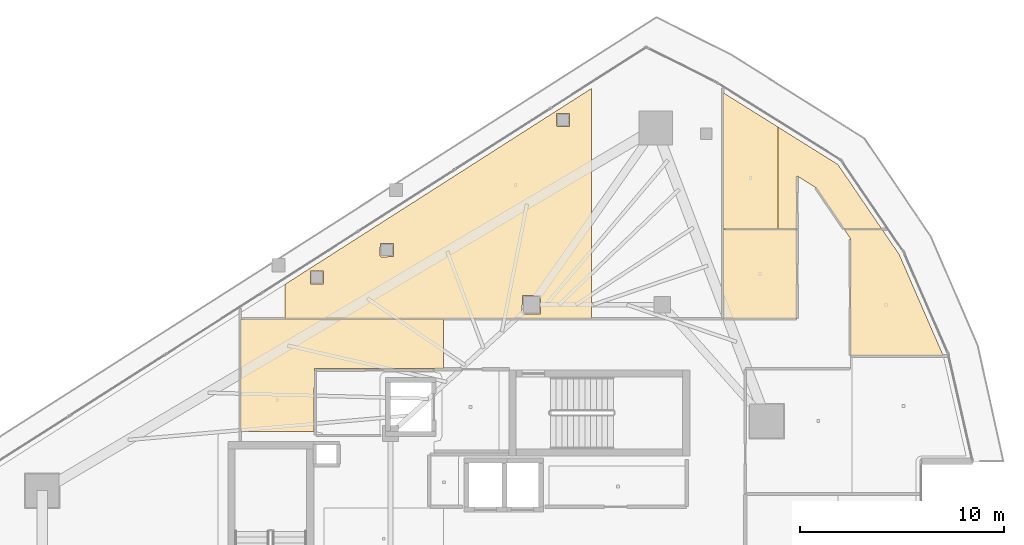
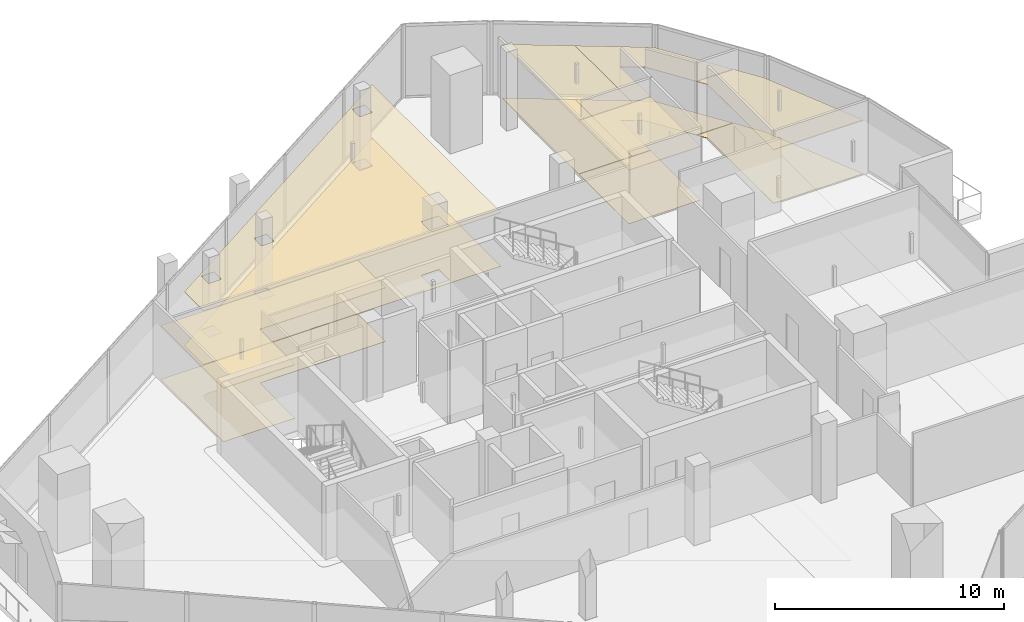
# One storey, part 34 of 34: 12 coverings.
"""IFC4 building model written with IfcOpenShell, lengths in metres."""

from ifc_helpers import new_model, si_unit, direction, frame, origin, place, context, subcontext, project, spatial, polyline, outline, extrude, material, layer, layer_set, type_object, element, save


model = new_model("IFC4")

# Units and contexts
model_context = context("Model", 3, precision=1e-05, world=origin(), true_north=direction((0.0, 1.0)))
body_context = subcontext(model_context, "Body", "Model", "MODEL_VIEW")
ifc_project = project(units=[si_unit("LENGTHUNIT", "METRE"), si_unit("AREAUNIT", "SQUARE_METRE"), si_unit("VOLUMEUNIT", "CUBIC_METRE"), si_unit("PLANEANGLEUNIT", "RADIAN"), si_unit("MASSUNIT", "GRAM", prefix="KILO")], contexts=[model_context])

# Site, building, storey
site_placement = place(None, origin())
site = spatial("IfcSite", under=ifc_project, at=site_placement, CompositionType="ELEMENT")
building_placement = place(site_placement, origin())
building = spatial("IfcBuilding", under=site, at=building_placement, Name="Qorvath Tower", CompositionType="ELEMENT")
storey_placement = place(building_placement, frame((0.0, 0.0, 268.199951171875)))
storey = spatial("IfcBuildingStorey", under=building, at=storey_placement, Name="L62", CompositionType="ELEMENT", Elevation=268.199951171875)

# Coverings
ifc_material_1 = material(Name="Acoustic mineral fibre ceiling tile", Category="gypsum")
ifc_layer_1 = layer(ifc_material_1, 0.030029296875)
ifc_layer_set_1 = layer_set([ifc_layer_1], Name="COV-CEIL")
covering_type_1 = type_object("IfcCoveringType", Name="COV-CEIL", PredefinedType="CEILING", material=ifc_layer_set_1)
covering_1_placement = place(storey_placement, frame((0.0, 0.0, 2.85009765625)))
element("IfcCovering", 1, at=covering_1_placement, inside=storey, type_object=covering_type_1, Name="L62 Suspended Acoustic Ceiling 010", PredefinedType="CEILING", context=body_context, shape_type="SweptSolid", body=[
    extrude(outline(polyline([(-27.8984375, 8.324951171875), (-27.8984375, 10.7451171875), (-37.844970703125, 10.7451171875), (-37.844970703125, 5.239990234375), (-34.2509765625, 5.239990234375), (-34.219970703125, 8.324951171875), (-27.8984375, 8.324951171875)])), origin(), (0.0, 0.0, 1.0), 0.030029296875),
])
covering_2_placement = place(storey_placement, frame((0.0, 0.0, 2.85009765625)))
element("IfcCovering", 2, at=covering_2_placement, inside=storey, type_object=covering_type_1, Name="L62 Suspended Acoustic Ceiling 013", PredefinedType="CEILING", context=body_context, shape_type="SweptSolid", body=[
    extrude(outline(polyline([(-35.662841796875, 12.44580078125), (-35.662841796875, 10.76171875), (-20.67431640625, 10.7626953125), (-20.67431640625, 22.025390625), (-35.662841796875, 12.44580078125)]), holes=[polyline([(-22.38818359375, 20.219970703125), (-22.37060546875, 20.812255859375), (-21.73583984375, 20.812255859375), (-21.73583984375, 20.177490234375), (-22.328125, 20.159912109375), (-22.38818359375, 20.219970703125)]), polyline([(-24.06005859375, 11.050048828125), (-24.04248046875, 11.892333984375), (-23.157470703125, 11.892333984375), (-23.157470703125, 11.007568359375), (-24.0, 10.989990234375), (-24.06005859375, 11.050048828125)]), polyline([(-31.01220703125, 13.849365234375), (-30.99462890625, 14.441650390625), (-30.35986328125, 14.441650390625), (-30.35986328125, 13.806884765625), (-30.9521484375, 13.789306640625), (-31.01220703125, 13.849365234375)]), polyline([(-34.421630859375, 12.47509765625), (-34.421630859375, 13.10986328125), (-33.786865234375, 13.10986328125), (-33.786865234375, 12.47509765625), (-34.421630859375, 12.47509765625)])]), origin(), (0.0, 0.0, 1.0), 0.030029296875),
])
covering_3_placement = place(storey_placement, frame((0.0, 0.0, 2.85009765625)))
element("IfcCovering", 3, at=covering_3_placement, inside=storey, type_object=covering_type_1, Name="L62 Suspended Acoustic Ceiling 021", PredefinedType="CEILING", context=body_context, shape_type="SweptSolid", body=[
    extrude(outline(polyline([(-3.453857421875, 8.9560546875), (-5.60498046875, 13.90478515625), (-6.43896484375, 15.128662109375), (-8.29296875, 15.128662109375), (-7.987060546875, 14.677978515625), (-7.987060546875, 8.9560546875), (-3.453857421875, 8.9560546875)])), origin(), (0.0, 0.0, 1.0), 0.030029296875),
])
covering_4_placement = place(storey_placement, frame((0.0, 0.0, 2.85009765625)))
element("IfcCovering", 4, at=covering_4_placement, inside=storey, type_object=covering_type_1, Name="L62 Suspended Acoustic Ceiling 022", PredefinedType="CEILING", context=body_context, shape_type="SweptSolid", body=[
    extrude(outline(polyline([(-10.613037109375, 10.762939453125), (-10.613037109375, 15.128662109375), (-14.237060546875, 15.128662109375), (-14.237060546875, 10.762939453125), (-10.613037109375, 10.762939453125)])), origin(), (0.0, 0.0, 1.0), 0.030029296875),
])
covering_5_placement = place(storey_placement, frame((0.0, 0.0, 2.85009765625)))
element("IfcCovering", 5, at=covering_5_placement, inside=storey, type_object=covering_type_1, Name="L62 Suspended Acoustic Ceiling 023", PredefinedType="CEILING", context=body_context, shape_type="SweptSolid", body=[
    extrude(outline(polyline([(-11.531494140625, 15.146484375), (-11.531494140625, 20.141357421875), (-14.237060546875, 21.833740234375), (-14.237060546875, 15.146484375), (-11.531494140625, 15.146484375)])), origin(), (0.0, 0.0, 1.0), 0.030029296875),
])
covering_6_placement = place(storey_placement, frame((0.0, 0.0, 2.85009765625)))
element("IfcCovering", 6, at=covering_6_placement, inside=storey, type_object=covering_type_1, Name="L62 Suspended Acoustic Ceiling 024", PredefinedType="CEILING", context=body_context, shape_type="SweptSolid", body=[
    extrude(outline(polyline([(-8.305419921875, 15.146484375), (-6.451416015625, 15.146484375), (-8.60986328125, 18.3134765625), (-11.531494140625, 20.141357421875), (-11.531494140625, 15.146484375), (-10.613037109375, 15.146484375), (-10.608642578125, 17.755615234375), (-9.694091796875, 17.184326171875), (-8.305419921875, 15.146484375)])), origin(), (0.0, 0.0, 1.0), 0.030029296875),
])
ifc_material_2 = material(Name="Low-VOC modular carpet tile", Category="textile")
ifc_layer_2 = layer(ifc_material_2, 0.014892578125)
ifc_layer_set_2 = layer_set([ifc_layer_2], Name="COV-FLOOR-CPT")
covering_type_2 = type_object("IfcCoveringType", Name="COV-FLOOR-CPT", PredefinedType="FLOORING", material=ifc_layer_set_2)
covering_7_placement = place(storey_placement, origin())
element("IfcCovering", 7, at=covering_7_placement, inside=storey, type_object=covering_type_2, Name="L62 Floor Finish 013", PredefinedType="FLOORING", context=body_context, shape_type="SweptSolid", body=[
    extrude(outline(polyline([(-35.662841796875, 12.44580078125), (-35.662841796875, 10.76171875), (-20.67431640625, 10.7626953125), (-20.67431640625, 22.025390625), (-35.662841796875, 12.44580078125)]), holes=[polyline([(-22.38818359375, 20.219970703125), (-22.37060546875, 20.812255859375), (-21.73583984375, 20.812255859375), (-21.73583984375, 20.177490234375), (-22.328125, 20.159912109375), (-22.38818359375, 20.219970703125)]), polyline([(-24.06005859375, 11.050048828125), (-24.04248046875, 11.892333984375), (-23.157470703125, 11.892333984375), (-23.157470703125, 11.007568359375), (-24.0, 10.989990234375), (-24.06005859375, 11.050048828125)]), polyline([(-31.01220703125, 13.849365234375), (-30.99462890625, 14.441650390625), (-30.35986328125, 14.441650390625), (-30.35986328125, 13.806884765625), (-30.9521484375, 13.789306640625), (-31.01220703125, 13.849365234375)]), polyline([(-34.421630859375, 12.47509765625), (-34.421630859375, 13.10986328125), (-33.786865234375, 13.10986328125), (-33.786865234375, 12.47509765625), (-34.421630859375, 12.47509765625)])]), origin(), (0.0, 0.0, 1.0), 0.01513671875),
])
covering_8_placement = place(storey_placement, origin())
element("IfcCovering", 8, at=covering_8_placement, inside=storey, type_object=covering_type_2, Name="L62 Floor Finish 021", PredefinedType="FLOORING", context=body_context, shape_type="SweptSolid", body=[
    extrude(outline(polyline([(-3.453857421875, 8.9560546875), (-5.60498046875, 13.90478515625), (-6.43896484375, 15.128662109375), (-8.29296875, 15.128662109375), (-7.987060546875, 14.677978515625), (-7.987060546875, 8.9560546875), (-3.453857421875, 8.9560546875)])), origin(), (0.0, 0.0, 1.0), 0.01513671875),
])
covering_9_placement = place(storey_placement, origin())
element("IfcCovering", 9, at=covering_9_placement, inside=storey, type_object=covering_type_2, Name="L62 Floor Finish 022", PredefinedType="FLOORING", context=body_context, shape_type="SweptSolid", body=[
    extrude(outline(polyline([(-10.613037109375, 10.762939453125), (-10.613037109375, 15.128662109375), (-14.237060546875, 15.128662109375), (-14.237060546875, 10.762939453125), (-10.613037109375, 10.762939453125)])), origin(), (0.0, 0.0, 1.0), 0.01513671875),
])
covering_10_placement = place(storey_placement, origin())
element("IfcCovering", 10, at=covering_10_placement, inside=storey, type_object=covering_type_2, Name="L62 Floor Finish 023", PredefinedType="FLOORING", context=body_context, shape_type="SweptSolid", body=[
    extrude(outline(polyline([(-11.531494140625, 15.146484375), (-11.531494140625, 20.141357421875), (-14.237060546875, 21.833740234375), (-14.237060546875, 15.146484375), (-11.531494140625, 15.146484375)])), origin(), (0.0, 0.0, 1.0), 0.01513671875),
])
covering_11_placement = place(storey_placement, origin())
element("IfcCovering", 11, at=covering_11_placement, inside=storey, type_object=covering_type_2, Name="L62 Floor Finish 024", PredefinedType="FLOORING", context=body_context, shape_type="SweptSolid", body=[
    extrude(outline(polyline([(-8.305419921875, 15.146484375), (-6.451416015625, 15.146484375), (-8.60986328125, 18.3134765625), (-11.531494140625, 20.141357421875), (-11.531494140625, 15.146484375), (-10.613037109375, 15.146484375), (-10.608642578125, 17.755615234375), (-9.694091796875, 17.184326171875), (-8.305419921875, 15.146484375)])), origin(), (0.0, 0.0, 1.0), 0.01513671875),
])
ifc_material_3 = material(Name="Polished epoxy terrazzo flooring", Category="concrete")
ifc_layer_3 = layer(ifc_material_3, 0.02001953125)
ifc_layer_set_3 = layer_set([ifc_layer_3], Name="COV-FLOOR-TRZ")
covering_type_3 = type_object("IfcCoveringType", Name="COV-FLOOR-TRZ", PredefinedType="FLOORING", material=ifc_layer_set_3)
covering_12_placement = place(storey_placement, origin())
element("IfcCovering", 12, at=covering_12_placement, inside=storey, type_object=covering_type_3, Name="L62 Floor Finish 010", PredefinedType="FLOORING", context=body_context, shape_type="SweptSolid", body=[
    extrude(outline(polyline([(-27.8984375, 8.324951171875), (-27.8984375, 10.7451171875), (-37.844970703125, 10.7451171875), (-37.844970703125, 5.239990234375), (-34.2509765625, 5.239990234375), (-34.219970703125, 8.324951171875), (-27.8984375, 8.324951171875)])), origin(), (0.0, 0.0, 1.0), 0.01513671875),
])

save(model, "model.ifc")
